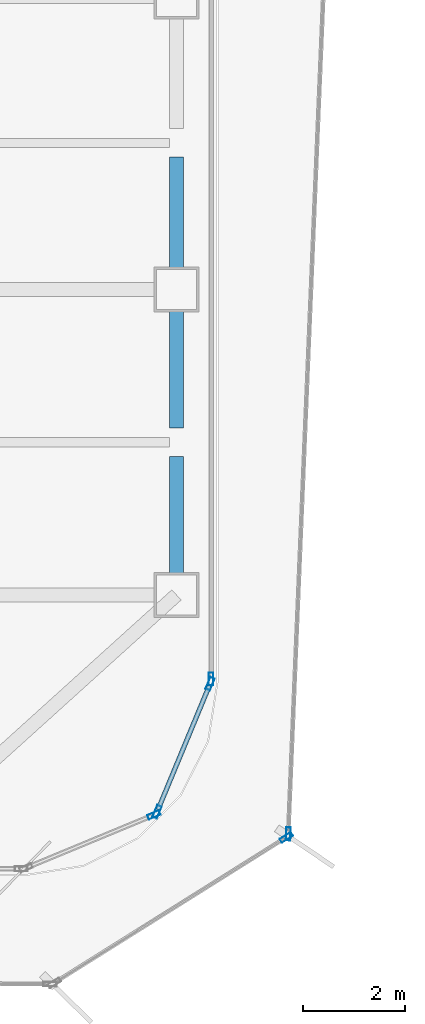
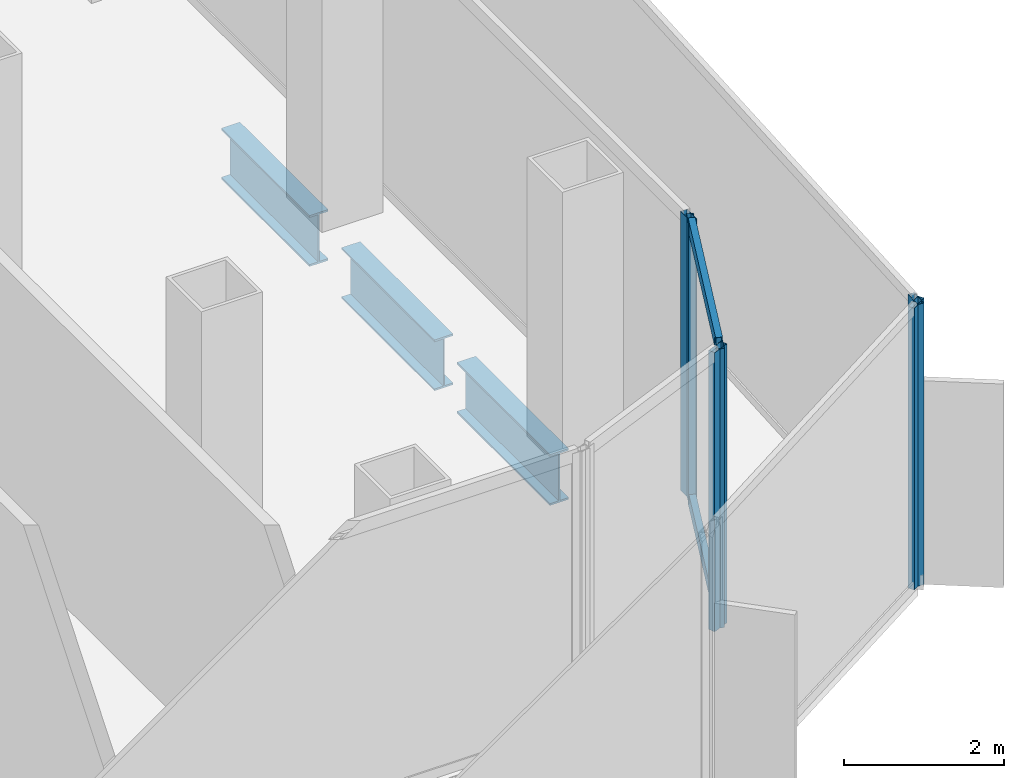
# One storey, part 8 of 21: 8 members, 3 beams, 5 elements without a shape of their own.
"""IFC4 building model written with IfcOpenShell, lengths in metres."""

from ifc_helpers import new_model, si_unit, direction, frame, origin, origin_2d, place, context, subcontext, project, spatial, hollow_rectangle, i_section, extrude, source, transform, mapped, material, layer, layer_set, material_profile, profile_set, type_object, element, aggregate, save


model = new_model("IFC4")

# Units and contexts
model_context = context("Model", 3, precision=1e-05, world=origin(), true_north=direction((0.0, 1.0)))
body_context = subcontext(model_context, "Body", "Model", "MODEL_VIEW")
ifc_project = project(units=[si_unit("LENGTHUNIT", "METRE"), si_unit("AREAUNIT", "SQUARE_METRE"), si_unit("VOLUMEUNIT", "CUBIC_METRE"), si_unit("PLANEANGLEUNIT", "RADIAN"), si_unit("MASSUNIT", "GRAM", prefix="KILO")], contexts=[model_context])

# Site, building, storey
site_placement = place(None, origin())
site = spatial("IfcSite", under=ifc_project, at=site_placement, CompositionType="ELEMENT")
building_placement = place(site_placement, origin())
building = spatial("IfcBuilding", under=site, at=building_placement, Name="Kolveth Station Tower", CompositionType="ELEMENT")
storey_placement = place(building_placement, frame((0.0, 0.0, 88.199951171875)))
storey = spatial("IfcBuildingStorey", under=building, at=storey_placement, Name="L23", CompositionType="ELEMENT", Elevation=88.199951171875)

# Beams
ifc_material_1 = material(Name="Steel S355", Category="steel")
ifc_material_profile_1 = material_profile(ifc_material_1, i_section(OverallWidth=0.26904296875, OverallDepth=0.77490234375, WebThickness=0.01708984375, FlangeThickness=0.0283203125, at=origin_2d()), Name="W760x220")
ifc_profile_set_1 = profile_set([ifc_material_profile_1], Name="Steel S355")
beam_type = type_object("IfcBeamType", Name="Beam_SP1", PredefinedType="SPANDREL", material=ifc_profile_set_1)
shared_shape_1 = source(origin(), body_context, "Body", "SweptSolid", [
    extrude(i_section(OverallWidth=0.26904296875, OverallDepth=0.77490234375, WebThickness=0.01708984375, FlangeThickness=0.0283203125, at=origin_2d()), origin(), (0.0, 0.0, 1.0), 2.320068359375),
])
for number, where, z_axis, x_axis, name in (
    (1, (46.199951171875, 5.89990234375, -0.74755859375), (0.0, 1.0, 0.0), (-1.0, 0.0, 0.0), "L23 Perimeter Spandrel BM-L23-PE-1"),
    (2, (46.199951171875, 8.780029296875, -0.74755859375), (0.0, 1.0, 0.0), (-1.0, 0.0, 0.0), "L23 Perimeter Spandrel BM-L23-PE-2"),
):
    element("IfcBeam", number, at=place(storey_placement, frame(where, z_axis=z_axis, x_axis=x_axis)), inside=storey, type_object=beam_type, Name=name, PredefinedType="SPANDREL", context=body_context, shape_type="MappedRepresentation", body=[
        mapped(shared_shape_1, transform((0.0, 0.0, 0.0), x_axis=(1.0, 0.0, 0.0), y_axis=(0.0, 1.0, 0.0), z_axis=(0.0, 0.0, 1.0), scale=1.0)),
    ])
shared_shape_2 = source(origin(), body_context, "Body", "SweptSolid", [
    extrude(i_section(OverallWidth=0.26904296875, OverallDepth=0.77490234375, WebThickness=0.01708984375, FlangeThickness=0.0283203125, at=origin_2d()), origin(), (0.0, 0.0, 1.0), 2.2001953125),
])
beam_placement = place(storey_placement, frame((46.199951171875, 11.89990234375, -0.74755859375), z_axis=(0.0, 1.0, 0.0), x_axis=(-1.0, 0.0, 0.0)))
element("IfcBeam", 3, at=beam_placement, inside=storey, type_object=beam_type, Name="L23 Perimeter Spandrel BM-L23-PE-3", PredefinedType="SPANDREL", context=body_context, shape_type="MappedRepresentation", body=[
    mapped(shared_shape_2, transform((0.0, 0.0, 0.0), x_axis=(1.0, 0.0, 0.0), y_axis=(0.0, 1.0, 0.0), z_axis=(0.0, 0.0, 1.0), scale=1.0)),
])

# Curtain wall, member
ifc_material_2 = material(Name="Aluminium 6063-T6 and acoustic laminated dark glass", Category="aluminium")
ifc_layer_1 = layer(ifc_material_2, 0.219970703125)
ifc_layer_set_1 = layer_set([ifc_layer_1], Name="Aluminium 6063-T6 and acoustic laminated dark glass")
curtain_wall_type_1 = type_object("IfcCurtainWallType", Name="CurtainWall_CW-SL", PredefinedType="NOTDEFINED", material=ifc_layer_set_1)
curtain_wall_1_placement = place(storey_placement, origin())
curtain_wall_1 = element("IfcCurtainWall", 4, at=curtain_wall_1_placement, inside=storey, type_object=curtain_wall_type_1, Name="L23 Inner Thermal Curtain Wall 1", PredefinedType="NOTDEFINED")
ifc_material_3 = material(Name="Black anodized aluminium 6063-T6", Category="aluminium")
ifc_material_profile_2 = material_profile(ifc_material_3, hollow_rectangle(XDim=0.094970703125, YDim=0.25, WallThickness=0.0048828125, at=origin_2d()), Name="ALU-95x250x5")
ifc_profile_set_2 = profile_set([ifc_material_profile_2], Name="Black anodized aluminium 6063-T6")
member_type_1 = type_object("IfcMemberType", Name="Mullion_ML-SL", PredefinedType="MULLION", material=ifc_profile_set_2)
shared_shape_3 = source(origin(), body_context, "Body", "SweptSolid", [
    extrude(hollow_rectangle(XDim=0.094970703125, YDim=0.25, WallThickness=0.0048828125, at=origin_2d()), origin(), (0.0, 0.0, 1.0), 4.25),
])
member_1_placement = place(storey_placement, frame((45.75830078125, 1.1796875, 0.0), z_axis=(0.0, 0.0, 1.0), x_axis=(-0.38266326998, 0.923887883787, 0.0)))
member_1 = element("IfcMember", 5, at=member_1_placement, type_object=member_type_1, Name="CW-SL mullion 2", PredefinedType="MULLION", context=body_context, shape_type="MappedRepresentation", body=[
    mapped(shared_shape_3, transform((0.0, 0.0, 0.0), x_axis=(1.0, 0.0, 0.0), y_axis=(0.0, 1.0, 0.0), z_axis=(0.0, 0.0, 1.0), scale=1.0)),
])
aggregate(curtain_wall_1, [member_1])

# Curtain wall, members
curtain_wall_2_placement = place(storey_placement, origin())
curtain_wall_2 = element("IfcCurtainWall", 6, at=curtain_wall_2_placement, inside=storey, type_object=curtain_wall_type_1, Name="L23 Inner Thermal Curtain Wall 2", PredefinedType="NOTDEFINED")
member_2_placement = place(storey_placement, frame((45.8203125, 1.24169921875, 0.0), z_axis=(0.0, 0.0, 1.0), x_axis=(-0.923887883787, 0.38266326998, 0.0)))
member_2 = element("IfcMember", 7, at=member_2_placement, type_object=member_type_1, Name="CW-SL mullion 1", PredefinedType="MULLION", context=body_context, shape_type="MappedRepresentation", body=[
    mapped(shared_shape_3, transform((0.0, 0.0, 0.0), x_axis=(1.0, 0.0, 0.0), y_axis=(0.0, 1.0, 0.0), z_axis=(0.0, 0.0, 1.0), scale=1.0)),
])
member_3_placement = place(storey_placement, frame((46.86181640625, 3.756103515625, 0.0), z_axis=(0.0, 0.0, 1.0), x_axis=(-0.923887883787, 0.38266326998, 0.0)))
member_3 = element("IfcMember", 8, at=member_3_placement, type_object=member_type_1, Name="CW-SL mullion 2", PredefinedType="MULLION", context=body_context, shape_type="MappedRepresentation", body=[
    mapped(shared_shape_3, transform((0.0, 0.0, 0.0), x_axis=(1.0, 0.0, 0.0), y_axis=(0.0, 1.0, 0.0), z_axis=(0.0, 0.0, 1.0), scale=1.0)),
])

# Curtain wall, member
curtain_wall_3_placement = place(storey_placement, origin())
curtain_wall_3 = element("IfcCurtainWall", 9, at=curtain_wall_3_placement, inside=storey, type_object=curtain_wall_type_1, Name="L23 Inner Thermal Curtain Wall 3", PredefinedType="NOTDEFINED")
member_4_placement = place(storey_placement, frame((46.8798828125, 3.847412109375, 0.0), z_axis=(0.0, 0.0, 1.0), x_axis=(-1.0, 0.0, 0.0)))
member_4 = element("IfcMember", 10, at=member_4_placement, type_object=member_type_1, Name="CW-SL mullion 1", PredefinedType="MULLION", context=body_context, shape_type="MappedRepresentation", body=[
    mapped(shared_shape_3, transform((0.0, 0.0, 0.0), x_axis=(1.0, 0.0, 0.0), y_axis=(0.0, 1.0, 0.0), z_axis=(0.0, 0.0, 1.0), scale=1.0)),
])
aggregate(curtain_wall_3, [member_4])

# Member
ifc_material_profile_3 = material_profile(ifc_material_3, hollow_rectangle(XDim=0.090087890625, YDim=0.199951171875, WallThickness=0.0048828125, at=origin_2d()), Name="ALU-90x200x5")
ifc_profile_set_3 = profile_set([ifc_material_profile_3], Name="Black anodized aluminium 6063-T6")
member_type_2 = type_object("IfcMemberType", Name="Transom_TR-SL", PredefinedType="USERDEFINED", material=ifc_profile_set_3)
shared_shape_4 = source(origin(), body_context, "Body", "SweptSolid", [
    extrude(hollow_rectangle(XDim=0.090087890625, YDim=0.199951171875, WallThickness=0.0048828125, at=origin_2d()), origin(), (0.0, 0.0, 1.0), 2.62646484375),
])
member_5_placement = place(storey_placement, frame((45.838623046875, 1.28564453125, 0.045166015625), z_axis=(0.382693858119, 0.923875213954, 0.0), x_axis=(-0.923875213954, 0.382693858119, 0.0)))
member_5 = element("IfcMember", 11, at=member_5_placement, type_object=member_type_2, Name="CW-SL transom 1.1", ObjectType="TRANSOM", PredefinedType="USERDEFINED", context=body_context, shape_type="MappedRepresentation", body=[
    mapped(shared_shape_4, transform((0.0, 0.0, 0.0), x_axis=(1.0, 0.0, 0.0), y_axis=(0.0, 1.0, 0.0), z_axis=(0.0, 0.0, 1.0), scale=1.0)),
])

member_6_placement = place(storey_placement, frame((45.838623046875, 1.28564453125, 4.205078125), z_axis=(0.382693858119, 0.923875213954, 0.0), x_axis=(-0.923875213954, 0.382693858119, 0.0)))
member_6 = element("IfcMember", 12, at=member_6_placement, type_object=member_type_2, Name="CW-SL transom 1.2", ObjectType="TRANSOM", PredefinedType="USERDEFINED", context=body_context, shape_type="MappedRepresentation", body=[
    mapped(shared_shape_4, transform((0.0, 0.0, 0.0), x_axis=(1.0, 0.0, 0.0), y_axis=(0.0, 1.0, 0.0), z_axis=(0.0, 0.0, 1.0), scale=1.0)),
])

aggregate(curtain_wall_2, [member_2, member_3, member_5, member_6])

# Curtain wall, member
ifc_material_4 = material(Name="Black anodized aluminium 6063-T6 and dark solar glass", Category="aluminium")
ifc_layer_2 = layer(ifc_material_4, 0.159912109375)
ifc_layer_set_2 = layer_set([ifc_layer_2], Name="Black anodized aluminium 6063-T6 and dark solar glass")
curtain_wall_type_2 = type_object("IfcCurtainWallType", Name="OUTER SKIN CW-OS", PredefinedType="NOTDEFINED", material=ifc_layer_set_2)
curtain_wall_4_placement = place(storey_placement, origin())
curtain_wall_4 = element("IfcCurtainWall", 13, at=curtain_wall_4_placement, inside=storey, type_object=curtain_wall_type_2, Name="L23 Outer Ventilated Skin Curtain Wall 1", PredefinedType="NOTDEFINED")
ifc_material_profile_4 = material_profile(ifc_material_3, hollow_rectangle(XDim=0.090087890625, YDim=0.260009765625, WallThickness=0.0048828125, at=origin_2d()), Name="ALU-90x260x5")
ifc_profile_set_4 = profile_set([ifc_material_profile_4], Name="Black anodized aluminium 6063-T6")
member_type_3 = type_object("IfcMemberType", Name="FIN MULLION ML-OS", PredefinedType="MULLION", material=ifc_profile_set_4)
shared_shape_5 = source(origin(), body_context, "Body", "SweptSolid", [
    extrude(hollow_rectangle(XDim=0.090087890625, YDim=0.260009765625, WallThickness=0.0048828125, at=origin_2d()), origin(), (0.0, 0.0, 1.0), 4.2900390625),
])
member_7_placement = place(storey_placement, frame((48.359130859375, 0.73779296875, 0.0), z_axis=(0.0, 0.0, 1.0), x_axis=(-0.531426006263, 0.847104715999, 0.0)))
member_7 = element("IfcMember", 14, at=member_7_placement, type_object=member_type_3, Name="CW-OS mullion 2", PredefinedType="MULLION", context=body_context, shape_type="MappedRepresentation", body=[
    mapped(shared_shape_5, transform((0.0, 0.0, 0.0), x_axis=(1.0, 0.0, 0.0), y_axis=(0.0, 1.0, 0.0), z_axis=(0.0, 0.0, 1.0), scale=1.0)),
])
aggregate(curtain_wall_4, [member_7])

curtain_wall_5_placement = place(storey_placement, origin())
curtain_wall_5 = element("IfcCurtainWall", 15, at=curtain_wall_5_placement, inside=storey, type_object=curtain_wall_type_2, Name="L23 Outer Ventilated Skin Curtain Wall 2", PredefinedType="NOTDEFINED")
member_8_placement = place(storey_placement, frame((48.399169921875, 0.806640625, 0.0), z_axis=(0.0, 0.0, 1.0), x_axis=(-0.999125016659, 0.041823451378, 0.0)))
member_8 = element("IfcMember", 16, at=member_8_placement, type_object=member_type_3, Name="CW-OS mullion 1", PredefinedType="MULLION", context=body_context, shape_type="MappedRepresentation", body=[
    mapped(shared_shape_5, transform((0.0, 0.0, 0.0), x_axis=(1.0, 0.0, 0.0), y_axis=(0.0, 1.0, 0.0), z_axis=(0.0, 0.0, 1.0), scale=1.0)),
])
aggregate(curtain_wall_5, [member_8])

save(model, "model.ifc")
